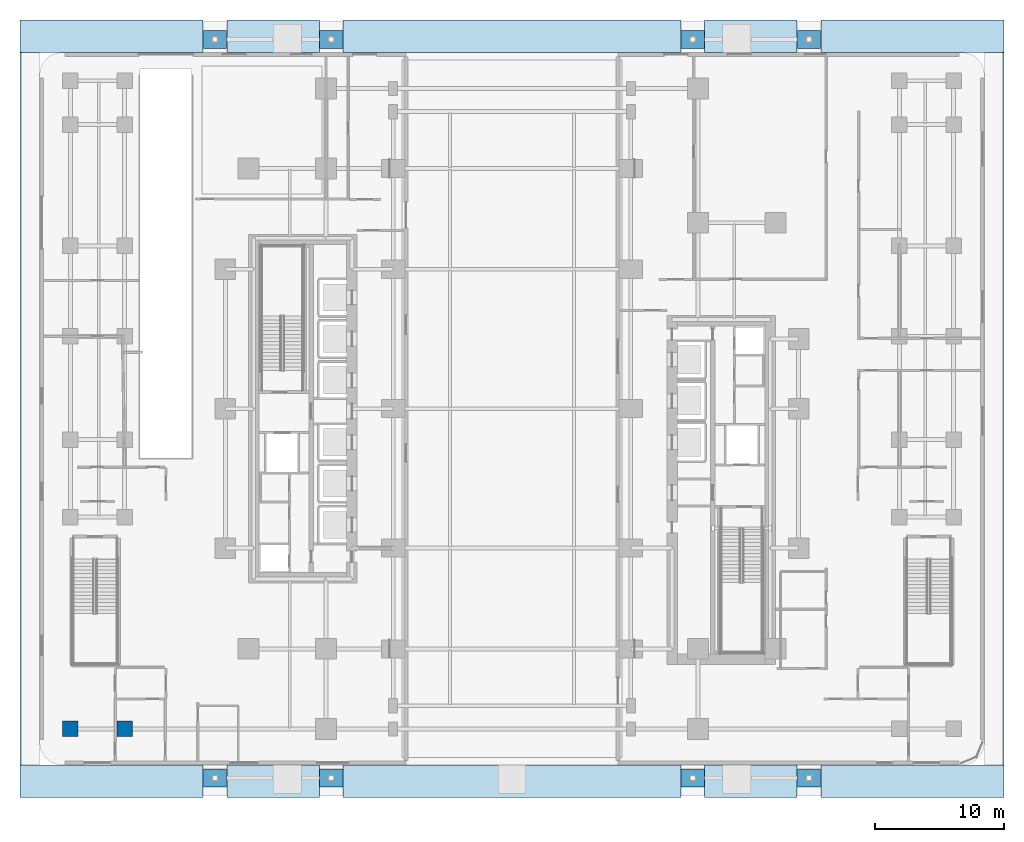
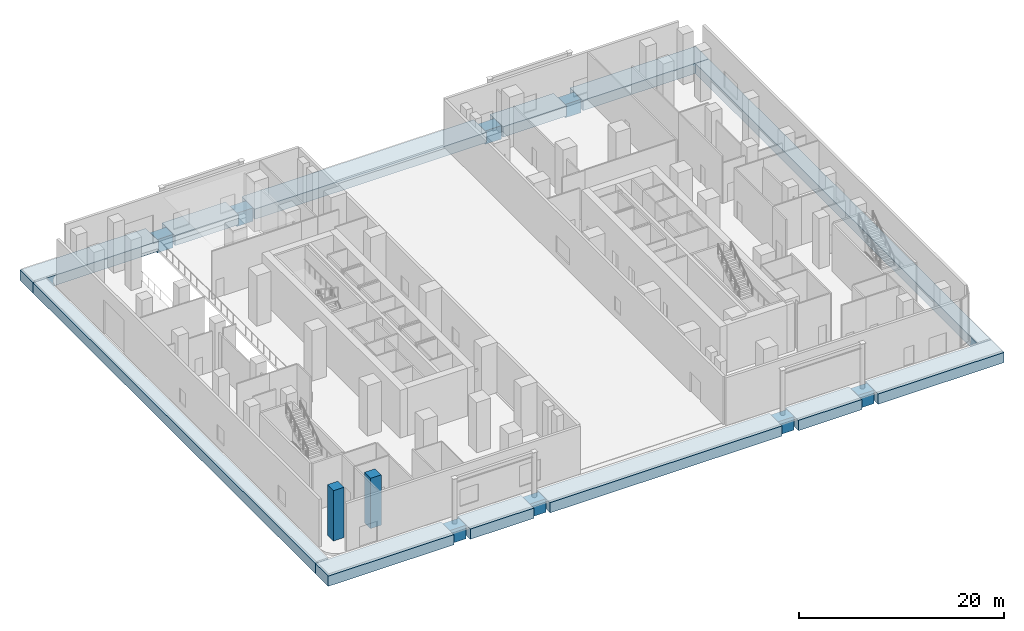
# One storey, part 1 of 22: 20 footings, 2 columns.
"""IFC4 building model written with IfcOpenShell, lengths in metres."""

from ifc_helpers import new_model, si_unit, direction, frame, origin, origin_2d, place, context, subcontext, project, spatial, polyline, rectangle, outline, extrude, material, layer, layer_set, material_profile, profile_set, type_object, element, save


model = new_model("IFC4")

# Units and contexts
model_context = context("Model", 3, precision=1e-05, world=origin(), true_north=direction((0.0, 1.0)))
body_context = subcontext(model_context, "Body", "Model", "MODEL_VIEW")
ifc_project = project(units=[si_unit("LENGTHUNIT", "METRE"), si_unit("AREAUNIT", "SQUARE_METRE"), si_unit("VOLUMEUNIT", "CUBIC_METRE"), si_unit("PLANEANGLEUNIT", "RADIAN"), si_unit("MASSUNIT", "GRAM", prefix="KILO")], contexts=[model_context])

# Site, building, storey
site_placement = place(None, origin())
site = spatial("IfcSite", under=ifc_project, at=site_placement, CompositionType="ELEMENT")
building_placement = place(site_placement, origin())
building = spatial("IfcBuilding", under=site, at=building_placement, Name="Khairoan Windgate Tower", CompositionType="ELEMENT")
storey_placement = place(building_placement, origin())
storey = spatial("IfcBuildingStorey", under=building, at=storey_placement, Name="L01", CompositionType="ELEMENT", Elevation=0.0)

# Footings
ifc_material_1 = material(Name="Concrete C50/60", Category="concrete")
ifc_layer_1 = layer(ifc_material_1, 1.60009765625, Name="Concrete C50/60")
ifc_layer_set_1 = layer_set([ifc_layer_1], Name="Concrete C50/60")
footing_type_1 = type_object("IfcFootingType", Name="Forecourt Canopy Pad Footing PF1 2800x2800x1600", PredefinedType="PAD_FOOTING", material=ifc_layer_set_1)
for number, where, z_axis, x_axis, name in (
    (1, (-23.0, -28.60009765625, -1.800048828125), (0.0, 0.0, 1.0), (1.0, 0.0, 0.0), "Plaza Canopy Pad Footing PF1-01"),
    (2, (-14.0, -28.60009765625, -1.800048828125), (0.0, 0.0, 1.0), (1.0, 0.0, 0.0), "Plaza Canopy Pad Footing PF1-02"),
    (3, (14.0, -28.60009765625, -1.800048828125), (0.0, 0.0, 1.0), (1.0, 0.0, 0.0), "Plaza Canopy Pad Footing PF1-03"),
    (4, (23.0, -28.60009765625, -1.800048828125), (0.0, 0.0, 1.0), (1.0, 0.0, 0.0), "Plaza Canopy Pad Footing PF1-04"),
    (5, (-23.0, 28.60009765625, -1.800048828125), (0.0, 0.0, 1.0), (1.0, 0.0, 0.0), "Plaza Canopy Pad Footing PF1-05"),
    (6, (-14.0, 28.60009765625, -1.800048828125), (0.0, 0.0, 1.0), (1.0, 0.0, 0.0), "Plaza Canopy Pad Footing PF1-06"),
    (7, (14.0, 28.60009765625, -1.800048828125), (0.0, 0.0, 1.0), (1.0, 0.0, 0.0), "Plaza Canopy Pad Footing PF1-07"),
    (8, (23.0, 28.60009765625, -1.800048828125), (0.0, 0.0, 1.0), (1.0, 0.0, 0.0), "Plaza Canopy Pad Footing PF1-08"),
):
    element("IfcFooting", number, at=place(storey_placement, frame(where, z_axis=z_axis, x_axis=x_axis)), inside=storey, type_object=footing_type_1, Name=name, PredefinedType="PAD_FOOTING", context=body_context, shape_type="SweptSolid", body=[
        extrude(rectangle(XDim=1.800048828125, YDim=1.39990234375, at=origin_2d()), origin(), (0.0, 0.0, 1.0), 1.60009765625),
    ])
ifc_material_2 = material(Name="Concrete C50/60", Category="concrete")
ifc_layer_2 = layer(ifc_material_2, 1.199951171875, Name="Concrete C50/60")
ifc_layer_set_2 = layer_set([ifc_layer_2], Name="Concrete C50/60")
footing_type_2 = type_object("IfcFootingType", Name="Perimeter Basement Strip Footing SF1 1400x1200", PredefinedType="STRIP_FOOTING", material=ifc_layer_set_2)
footing_1_placement = place(storey_placement, frame((0.0, 0.0, -1.39990234375)))
element("IfcFooting", 9, at=footing_1_placement, inside=storey, type_object=footing_type_2, Name="Plaza Grade Sub-Base Footing FND-SUB-S1", PredefinedType="STRIP_FOOTING", context=body_context, shape_type="SweptSolid", body=[
    extrude(outline(polyline([(-38.10009765625, -30.10009765625), (-23.919921875, -30.10009765625), (-23.919921875, -27.60009765625), (-38.10009765625, -27.60009765625), (-38.10009765625, -30.10009765625)])), origin(), (0.0, 0.0, 1.0), 1.219970703125),
])
footing_2_placement = place(storey_placement, frame((0.0, 0.0, -1.39990234375)))
element("IfcFooting", 10, at=footing_2_placement, inside=storey, type_object=footing_type_2, Name="Plaza Grade Sub-Base Footing FND-SUB-S2", PredefinedType="STRIP_FOOTING", context=body_context, shape_type="SweptSolid", body=[
    extrude(outline(polyline([(-22.080078125, -30.10009765625), (-14.919921875, -30.10009765625), (-14.919921875, -27.60009765625), (-22.080078125, -27.60009765625), (-22.080078125, -30.10009765625)])), origin(), (0.0, 0.0, 1.0), 1.219970703125),
])
footing_3_placement = place(storey_placement, frame((0.0, 0.0, -1.39990234375)))
element("IfcFooting", 11, at=footing_3_placement, inside=storey, type_object=footing_type_2, Name="Plaza Grade Sub-Base Footing FND-SUB-S3", PredefinedType="STRIP_FOOTING", context=body_context, shape_type="SweptSolid", body=[
    extrude(outline(polyline([(-13.080078125, -30.10009765625), (13.080078125, -30.10009765625), (13.080078125, -27.60009765625), (-13.080078125, -27.60009765625), (-13.080078125, -30.10009765625)])), origin(), (0.0, 0.0, 1.0), 1.219970703125),
])
footing_4_placement = place(storey_placement, frame((0.0, 0.0, -1.39990234375)))
element("IfcFooting", 12, at=footing_4_placement, inside=storey, type_object=footing_type_2, Name="Plaza Grade Sub-Base Footing FND-SUB-S4", PredefinedType="STRIP_FOOTING", context=body_context, shape_type="SweptSolid", body=[
    extrude(outline(polyline([(14.919921875, -30.10009765625), (22.080078125, -30.10009765625), (22.080078125, -27.60009765625), (14.919921875, -27.60009765625), (14.919921875, -30.10009765625)])), origin(), (0.0, 0.0, 1.0), 1.219970703125),
])
footing_5_placement = place(storey_placement, frame((0.0, 0.0, -1.39990234375)))
element("IfcFooting", 13, at=footing_5_placement, inside=storey, type_object=footing_type_2, Name="Plaza Grade Sub-Base Footing FND-SUB-S5", PredefinedType="STRIP_FOOTING", context=body_context, shape_type="SweptSolid", body=[
    extrude(outline(polyline([(23.919921875, -30.10009765625), (38.10009765625, -30.10009765625), (38.10009765625, -27.60009765625), (23.919921875, -27.60009765625), (23.919921875, -30.10009765625)])), origin(), (0.0, 0.0, 1.0), 1.219970703125),
])
footing_6_placement = place(storey_placement, frame((0.0, 0.0, -1.39990234375)))
element("IfcFooting", 14, at=footing_6_placement, inside=storey, type_object=footing_type_2, Name="Plaza Grade Sub-Base Footing FND-SUB-N1", PredefinedType="STRIP_FOOTING", context=body_context, shape_type="SweptSolid", body=[
    extrude(outline(polyline([(-38.10009765625, 27.60009765625), (-23.919921875, 27.60009765625), (-23.919921875, 30.10009765625), (-38.10009765625, 30.10009765625), (-38.10009765625, 27.60009765625)])), origin(), (0.0, 0.0, 1.0), 1.219970703125),
])
footing_7_placement = place(storey_placement, frame((0.0, 0.0, -1.39990234375)))
element("IfcFooting", 15, at=footing_7_placement, inside=storey, type_object=footing_type_2, Name="Plaza Grade Sub-Base Footing FND-SUB-N2", PredefinedType="STRIP_FOOTING", context=body_context, shape_type="SweptSolid", body=[
    extrude(outline(polyline([(-22.080078125, 27.60009765625), (-14.919921875, 27.60009765625), (-14.919921875, 30.10009765625), (-22.080078125, 30.10009765625), (-22.080078125, 27.60009765625)])), origin(), (0.0, 0.0, 1.0), 1.219970703125),
])
footing_8_placement = place(storey_placement, frame((0.0, 0.0, -1.39990234375)))
element("IfcFooting", 16, at=footing_8_placement, inside=storey, type_object=footing_type_2, Name="Plaza Grade Sub-Base Footing FND-SUB-N3", PredefinedType="STRIP_FOOTING", context=body_context, shape_type="SweptSolid", body=[
    extrude(outline(polyline([(-13.080078125, 27.60009765625), (13.080078125, 27.60009765625), (13.080078125, 30.10009765625), (-13.080078125, 30.10009765625), (-13.080078125, 27.60009765625)])), origin(), (0.0, 0.0, 1.0), 1.219970703125),
])
footing_9_placement = place(storey_placement, frame((0.0, 0.0, -1.39990234375)))
element("IfcFooting", 17, at=footing_9_placement, inside=storey, type_object=footing_type_2, Name="Plaza Grade Sub-Base Footing FND-SUB-N4", PredefinedType="STRIP_FOOTING", context=body_context, shape_type="SweptSolid", body=[
    extrude(outline(polyline([(14.919921875, 27.60009765625), (22.080078125, 27.60009765625), (22.080078125, 30.10009765625), (14.919921875, 30.10009765625), (14.919921875, 27.60009765625)])), origin(), (0.0, 0.0, 1.0), 1.219970703125),
])
footing_10_placement = place(storey_placement, frame((0.0, 0.0, -1.39990234375)))
element("IfcFooting", 18, at=footing_10_placement, inside=storey, type_object=footing_type_2, Name="Plaza Grade Sub-Base Footing FND-SUB-N5", PredefinedType="STRIP_FOOTING", context=body_context, shape_type="SweptSolid", body=[
    extrude(outline(polyline([(23.919921875, 27.60009765625), (38.10009765625, 27.60009765625), (38.10009765625, 30.10009765625), (23.919921875, 30.10009765625), (23.919921875, 27.60009765625)])), origin(), (0.0, 0.0, 1.0), 1.219970703125),
])
footing_11_placement = place(storey_placement, frame((0.0, 0.0, -1.39990234375)))
element("IfcFooting", 19, at=footing_11_placement, inside=storey, type_object=footing_type_2, Name="Plaza Grade Sub-Base Footing FND-SUB-W", PredefinedType="STRIP_FOOTING", context=body_context, shape_type="SweptSolid", body=[
    extrude(outline(polyline([(-38.10009765625, -27.580078125), (-36.60009765625, -27.580078125), (-36.60009765625, 27.580078125), (-38.10009765625, 27.580078125), (-38.10009765625, -27.580078125)])), origin(), (0.0, 0.0, 1.0), 1.219970703125),
])
footing_12_placement = place(storey_placement, frame((0.0, 0.0, -1.39990234375)))
element("IfcFooting", 20, at=footing_12_placement, inside=storey, type_object=footing_type_2, Name="Plaza Grade Sub-Base Footing FND-SUB-E", PredefinedType="STRIP_FOOTING", context=body_context, shape_type="SweptSolid", body=[
    extrude(outline(polyline([(36.60009765625, -27.580078125), (38.10009765625, -27.580078125), (38.10009765625, 27.580078125), (36.60009765625, 27.580078125), (36.60009765625, -27.580078125)])), origin(), (0.0, 0.0, 1.0), 1.219970703125),
])

# Columns
ifc_material_3 = material(Name="Concrete C60/75", Category="concrete")
ifc_material_profile = material_profile(ifc_material_3, rectangle(XDim=1.199951171875, YDim=1.199951171875, at=origin_2d()))
ifc_profile_set = profile_set([ifc_material_profile], Name="Concrete C60/75")
column_type = type_object("IfcColumnType", Name="Column C-T3 RC1200x1200", PredefinedType="COLUMN", material=ifc_profile_set)
for number, where, z_axis, x_axis, name in (
    (21, (-34.199951171875, -24.800048828125, 0.0), (0.0, 0.0, 1.0), (1.0, 0.0, 0.0), "Column L01-19"),
    (22, (-30.0, -24.800048828125, 0.0), (0.0, 0.0, 1.0), (1.0, 0.0, 0.0), "Column L01-27"),
):
    element("IfcColumn", number, at=place(storey_placement, frame(where, z_axis=z_axis, x_axis=x_axis)), inside=storey, type_object=column_type, Name=name, PredefinedType="COLUMN", context=body_context, shape_type="SweptSolid", body=[
        extrude(rectangle(XDim=1.199951171875, YDim=1.199951171875, at=origin_2d()), origin(), (0.0, 0.0, 1.0), 6.0),
    ])

save(model, "model.ifc")
